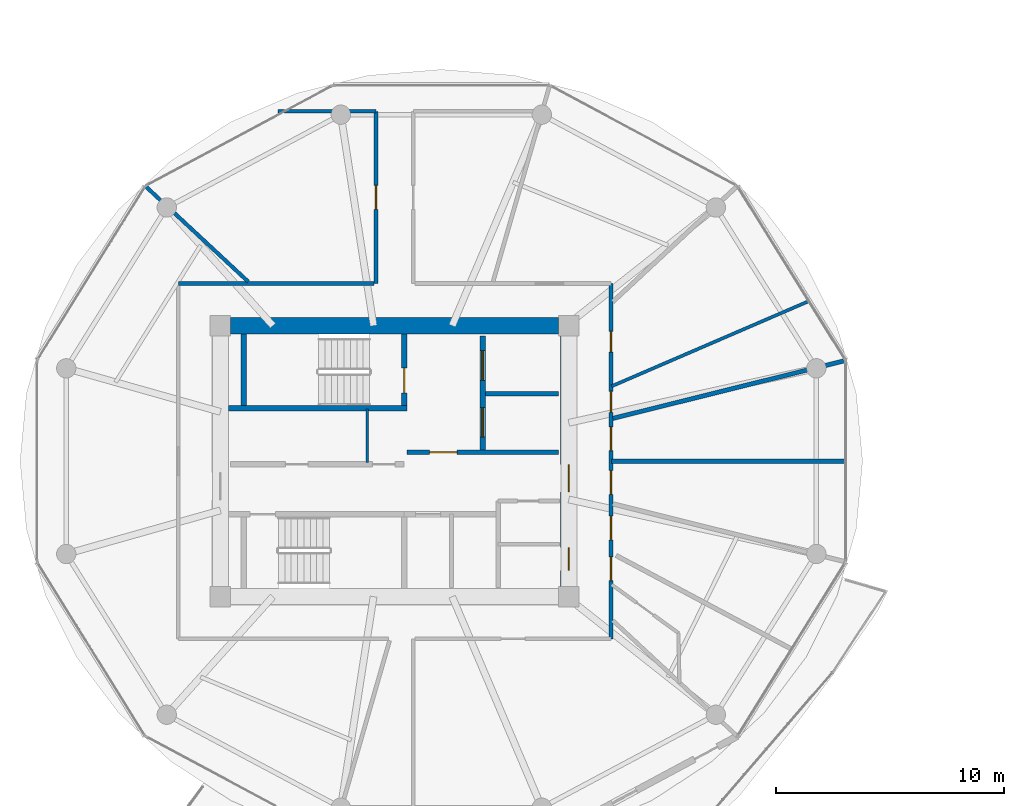
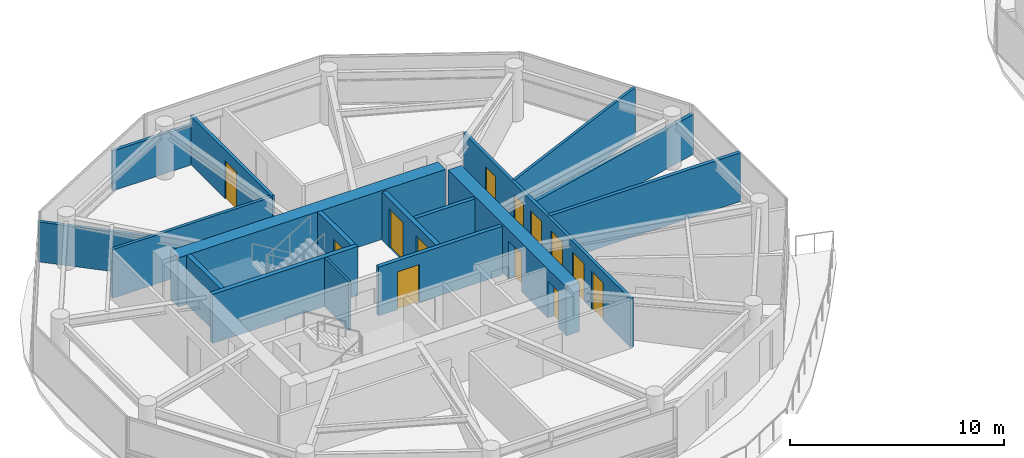
# One storey, part 14 of 24: 17 walls, 13 doors, 13 openings.
"""IFC4 building model written with IfcOpenShell, lengths in metres."""

from ifc_helpers import new_model, si_unit, direction, frame, frame_2d, origin, place, context, subcontext, project, spatial, rectangle, extrude, source, transform, mapped, material, layer, layer_set, type_object, type_shapes, element, fill, save


model = new_model("IFC4")

# Units and contexts
model_context = context("Model", 3, precision=1e-05, world=origin(), true_north=direction((0.0, 1.0)))
body_context = subcontext(model_context, "Body", "Model", "MODEL_VIEW")
ifc_project = project(units=[si_unit("LENGTHUNIT", "METRE"), si_unit("AREAUNIT", "SQUARE_METRE"), si_unit("VOLUMEUNIT", "CUBIC_METRE"), si_unit("PLANEANGLEUNIT", "RADIAN"), si_unit("MASSUNIT", "GRAM", prefix="KILO")], contexts=[model_context])

# Site, building, storey
site_placement = place(None, origin())
site = spatial("IfcSite", under=ifc_project, at=site_placement, CompositionType="ELEMENT")
building_placement = place(site_placement, origin())
building = spatial("IfcBuilding", under=site, at=building_placement, Name="Norrkilde Senior Care Towers", CompositionType="ELEMENT")
storey_placement = place(building_placement, frame((0.0, 0.0, 111.5)))
storey = spatial("IfcBuildingStorey", under=building, at=storey_placement, Name="L34", CompositionType="ELEMENT", Elevation=111.5)

# Wall
ifc_material_1 = material(Name="Concrete C60/75", Category="concrete")
ifc_layer_1 = layer(ifc_material_1, 0.719970703125)
ifc_layer_set_1 = layer_set([ifc_layer_1], Name="Concrete C60/75")
wall_type_1 = type_object("IfcWallType", Name="Core Shear Wall Z2 720", PredefinedType="SHEAR", material=ifc_layer_set_1)
shared_shape_1 = source(origin(), body_context, "Body", "SweptSolid", [
    extrude(rectangle(XDim=14.39990234375, YDim=0.719970703125, at=frame_2d((7.199951171875, 0.0))), origin(), (0.0, 0.0, 1.0), 2.7900390625),
])
wall_1_placement = place(storey_placement, frame((-35.199951171875, 5.949951171875, 0.0), z_axis=(0.0, 0.0, 1.0), x_axis=(1.0, 0.0, 0.0)))
element("IfcWall", 1, at=wall_1_placement, inside=storey, type_object=wall_type_1, Name="L34 Core W North Shear Wall", PredefinedType="SHEAR", context=body_context, shape_type="MappedRepresentation", body=[
    mapped(shared_shape_1, transform((0.0, 0.0, 0.0), x_axis=(1.0, 0.0, 0.0), y_axis=(0.0, 1.0, 0.0), z_axis=(0.0, 0.0, 1.0), scale=1.0)),
])

# Wall, openings, doors
shared_shape_2 = source(origin(), body_context, "Body", "SweptSolid", [
    extrude(rectangle(XDim=11.0, YDim=0.719970703125, at=frame_2d((5.5, 0.0))), origin(), (0.0, 0.0, 1.0), 2.7900390625),
])
type_shapes(wall_type_1, [shared_shape_1, shared_shape_2])
wall_2_placement = place(storey_placement, frame((-20.35009765625, 5.5, 0.0), z_axis=(0.0, 0.0, 1.0), x_axis=(0.0, -1.0, 0.0)))
wall_2 = element("IfcWall", 2, at=wall_2_placement, inside=storey, type_object=wall_type_1, Name="L34 Core W East Shear Wall", PredefinedType="SHEAR", context=body_context, shape_type="MappedRepresentation", body=[
    mapped(shared_shape_2, transform((0.0, 0.0, 0.0), x_axis=(1.0, 0.0, 0.0), y_axis=(0.0, 1.0, 0.0), z_axis=(0.0, 0.0, 1.0), scale=1.0)),
])
opening_1_placement = place(wall_2_placement, frame((5.64990234375, 0.0, 0.0)))
opening_1 = element("IfcOpeningElement", 3, at=opening_1_placement, cuts=wall_2, Name="Opening D-04", PredefinedType="OPENING", context=body_context, shape_type="SweptSolid", body=[
    extrude(rectangle(XDim=1.199951171875, YDim=2.14990234375, at=frame_2d((0.60009765625, 1.074951171875))), frame((0.0, 0.369873046875, 0.0), z_axis=(0.0, -1.0, 0.0), x_axis=(1.0, 0.0, 0.0)), (0.0, 0.0, 1.0), 0.739990234375),
])
opening_2_placement = place(wall_2_placement, frame((9.300048828125, 0.0, 0.0)))
opening_2 = element("IfcOpeningElement", 4, at=opening_2_placement, cuts=wall_2, Name="Opening D-10", PredefinedType="OPENING", context=body_context, shape_type="SweptSolid", body=[
    extrude(rectangle(XDim=1.0, YDim=2.10009765625, at=frame_2d((0.5, 1.050048828125))), frame((0.0, 0.369873046875, 0.0), z_axis=(0.0, -1.0, 0.0), x_axis=(1.0, 0.0, 0.0)), (0.0, 0.0, 1.0), 0.739990234375),
])
ifc_material_2 = material(Name="Galvanised Painted Steel", Category="steel")
door_type_1 = type_object("IfcDoorType", Name="Firefighting Lobby Fire Door 1200x2150", OperationType="NOTDEFINED", PredefinedType="DOOR", material=ifc_material_2)
shared_shape_3 = source(origin(), body_context, "Body", "SweptSolid", [
    extrude(rectangle(XDim=1.199951171875, YDim=2.14990234375, at=frame_2d((0.60009765625, 1.074951171875))), frame((0.0, 0.02490234375, 0.0), z_axis=(0.0, -1.0, 0.0), x_axis=(1.0, 0.0, 0.0)), (0.0, 0.0, 1.0), 0.050048828125),
])
type_shapes(door_type_1, [shared_shape_3])
door_1_placement = place(opening_1_placement, frame((1.199951171875, 0.0, 0.0), z_axis=(0.0, 0.0, 1.0), x_axis=(-1.0, 0.0, 0.0)))
door_1 = element("IfcDoor", 5, at=door_1_placement, inside=storey, type_object=door_type_1, Name="L34 Core W East Portal Door", OperationType="SINGLE_SWING_RIGHT", OverallHeight=2.14990234375, OverallWidth=1.199951171875, PredefinedType="DOOR", context=body_context, shape_type="MappedRepresentation", body=[
    mapped(shared_shape_3, transform((0.0, 0.0, 0.0), x_axis=(1.0, 0.0, 0.0), y_axis=(0.0, 1.0, 0.0), z_axis=(0.0, 0.0, 1.0), scale=1.0)),
])
fill(opening_1, door_1)
door_type_2 = type_object("IfcDoorType", Name="Plant and Riser Rated Door 1000x2100", OperationType="NOTDEFINED", PredefinedType="DOOR", material=ifc_material_2)
shared_shape_4 = source(origin(), body_context, "Body", "SweptSolid", [
    extrude(rectangle(XDim=1.0, YDim=2.10009765625, at=frame_2d((0.5, 1.050048828125))), frame((0.0, 0.02490234375, 0.0), z_axis=(0.0, -1.0, 0.0), x_axis=(1.0, 0.0, 0.0)), (0.0, 0.0, 1.0), 0.050048828125),
])
type_shapes(door_type_2, [shared_shape_4])
door_2_placement = place(opening_2_placement, frame((1.0, 0.0, 0.0), z_axis=(0.0, 0.0, 1.0), x_axis=(-1.0, 0.0, 0.0)))
door_2 = element("IfcDoor", 6, at=door_2_placement, inside=storey, type_object=door_type_2, Name="L34 Ventilation Riser W Door", OperationType="SINGLE_SWING_RIGHT", OverallHeight=2.10009765625, OverallWidth=1.0, PredefinedType="DOOR", context=body_context, shape_type="MappedRepresentation", body=[
    mapped(shared_shape_4, transform((0.0, 0.0, 0.0), x_axis=(1.0, 0.0, 0.0), y_axis=(0.0, 1.0, 0.0), z_axis=(0.0, 0.0, 1.0), scale=1.0)),
])
fill(opening_2, door_2)

ifc_material_3 = material(Name="Concrete C45/55", Category="concrete")
ifc_layer_2 = layer(ifc_material_3, 0.239990234375)
ifc_layer_set_2 = layer_set([ifc_layer_2], Name="Concrete C45/55")
wall_type_2 = type_object("IfcWallType", Name="Lift and Plant Rated Enclosure Partition 240", PredefinedType="PARTITIONING", material=ifc_layer_set_2)
shared_shape_5 = source(origin(), body_context, "Body", "SweptSolid", [
    extrude(rectangle(XDim=5.0, YDim=0.239990234375, at=frame_2d((2.5, 0.0))), origin(), (0.0, 0.0, 1.0), 2.77490234375),
])
type_shapes(wall_type_2, [shared_shape_5])
wall_3_placement = place(storey_placement, frame((-24.139892578125, 0.5, 0.0), z_axis=(0.0, 0.0, 1.0), x_axis=(0.0, 1.0, 0.0)))
wall_3 = element("IfcWall", 7, at=wall_3_placement, inside=storey, type_object=wall_type_2, Name="WL-INT-L34-W-FFLE", PredefinedType="PARTITIONING", context=body_context, shape_type="MappedRepresentation", body=[
    mapped(shared_shape_5, transform((0.0, 0.0, 0.0), x_axis=(1.0, 0.0, 0.0), y_axis=(0.0, 1.0, 0.0), z_axis=(0.0, 0.0, 1.0), scale=1.0)),
])
opening_3_placement = place(wall_3_placement, frame((3.050048828125, 0.0, 0.0)))
opening_3 = element("IfcOpeningElement", 8, at=opening_3_placement, cuts=wall_3, Name="Opening LD-02", PredefinedType="OPENING", context=body_context, shape_type="SweptSolid", body=[
    extrude(rectangle(XDim=1.300048828125, YDim=2.199951171875, at=frame_2d((0.64990234375, 1.10009765625))), frame((0.0, 0.1298828125, 0.0), z_axis=(0.0, -1.0, 0.0), x_axis=(1.0, 0.0, 0.0)), (0.0, 0.0, 1.0), 0.260009765625),
])
opening_4_placement = place(wall_3_placement, frame((0.550048828125, 0.0, 0.0)))
opening_4 = element("IfcOpeningElement", 9, at=opening_4_placement, cuts=wall_3, Name="Opening LD-02", PredefinedType="OPENING", context=body_context, shape_type="SweptSolid", body=[
    extrude(rectangle(XDim=1.300048828125, YDim=2.199951171875, at=frame_2d((0.64990234375, 1.10009765625))), frame((0.0, 0.1298828125, 0.0), z_axis=(0.0, -1.0, 0.0), x_axis=(1.0, 0.0, 0.0)), (0.0, 0.0, 1.0), 0.260009765625),
])
ifc_material_4 = material(Name="Stainless Steel", Category="steel")
door_type_3 = type_object("IfcDoorType", Name="Stretcher and FFL Landing Sliding Door 1300x2200", OperationType="NOTDEFINED", PredefinedType="DOOR", material=ifc_material_4)
shared_shape_6 = source(origin(), body_context, "Body", "SweptSolid", [
    extrude(rectangle(XDim=1.300048828125, YDim=2.199951171875, at=frame_2d((0.64990234375, 1.10009765625))), frame((0.0, 0.02490234375, 0.0), z_axis=(0.0, -1.0, 0.0), x_axis=(1.0, 0.0, 0.0)), (0.0, 0.0, 1.0), 0.050048828125),
])
type_shapes(door_type_3, [shared_shape_6])
door_3_placement = place(opening_3_placement, origin())
door_3 = element("IfcDoor", 10, at=door_3_placement, inside=storey, type_object=door_type_3, Name="L34 Firefighting Lift W1 Landing Door", OperationType="SLIDING_TO_LEFT", OverallHeight=2.199951171875, OverallWidth=1.300048828125, PredefinedType="DOOR", context=body_context, shape_type="MappedRepresentation", body=[
    mapped(shared_shape_6, transform((0.0, 0.0, 0.0), x_axis=(1.0, 0.0, 0.0), y_axis=(0.0, 1.0, 0.0), z_axis=(0.0, 0.0, 1.0), scale=1.0)),
])
fill(opening_3, door_3)
door_4_placement = place(opening_4_placement, origin())
door_4 = element("IfcDoor", 11, at=door_4_placement, inside=storey, type_object=door_type_3, Name="L34 Stretcher Lift W1 Landing Door", OperationType="SLIDING_TO_RIGHT", OverallHeight=2.199951171875, OverallWidth=1.300048828125, PredefinedType="DOOR", context=body_context, shape_type="MappedRepresentation", body=[
    mapped(shared_shape_6, transform((0.0, 0.0, 0.0), x_axis=(1.0, 0.0, 0.0), y_axis=(0.0, 1.0, 0.0), z_axis=(0.0, 0.0, 1.0), scale=1.0)),
])
fill(opening_4, door_4)

# Wall
ifc_layer_3 = layer(ifc_material_3, 0.199951171875)
ifc_layer_set_3 = layer_set([ifc_layer_3], Name="Concrete C45/55")
wall_type_3 = type_object("IfcWallType", Name="Shaft Division and Plant Partition 200", PredefinedType="PARTITIONING", material=ifc_layer_set_3)
shared_shape_7 = source(origin(), body_context, "Body", "SweptSolid", [
    extrude(rectangle(XDim=3.199951171875, YDim=0.199951171875, at=frame_2d((1.60009765625, 0.0))), origin(), (0.0, 0.0, 1.0), 2.77490234375),
])
type_shapes(wall_type_3, [shared_shape_7])
wall_4_placement = place(storey_placement, frame((-24.0, 2.949951171875, 0.0), z_axis=(0.0, 0.0, 1.0), x_axis=(1.0, 0.0, 0.0)))
element("IfcWall", 12, at=wall_4_placement, inside=storey, type_object=wall_type_3, Name="WL-INT-L34-W-FFLDIV", PredefinedType="PARTITIONING", context=body_context, shape_type="MappedRepresentation", body=[
    mapped(shared_shape_7, transform((0.0, 0.0, 0.0), x_axis=(1.0, 0.0, 0.0), y_axis=(0.0, 1.0, 0.0), z_axis=(0.0, 0.0, 1.0), scale=1.0)),
])

# Wall, opening, door
ifc_layer_4 = layer(ifc_material_3, 0.2099609375)
ifc_layer_set_4 = layer_set([ifc_layer_4], Name="Concrete C45/55")
wall_type_4 = type_object("IfcWallType", Name="Firefighting Lobby Wall 210", PredefinedType="PARTITIONING", material=ifc_layer_set_4)
shared_shape_8 = source(origin(), body_context, "Body", "SweptSolid", [
    extrude(rectangle(XDim=6.659912109375, YDim=0.2099609375, at=frame_2d((3.330078125, 0.0))), origin(), (0.0, 0.0, 1.0), 2.77490234375),
])
type_shapes(wall_type_4, [shared_shape_8])
wall_5_placement = place(storey_placement, frame((-27.4599609375, 0.389892578125, 0.0), z_axis=(0.0, 0.0, 1.0), x_axis=(1.0, 0.0, 0.0)))
wall_5 = element("IfcWall", 13, at=wall_5_placement, inside=storey, type_object=wall_type_4, Name="WL-INT-L34-W-FFLS", PredefinedType="PARTITIONING", context=body_context, shape_type="MappedRepresentation", body=[
    mapped(shared_shape_8, transform((0.0, 0.0, 0.0), x_axis=(1.0, 0.0, 0.0), y_axis=(0.0, 1.0, 0.0), z_axis=(0.0, 0.0, 1.0), scale=1.0)),
])
opening_5_placement = place(wall_5_placement, frame((1.0, 0.0, 0.0)))
opening_5 = element("IfcOpeningElement", 14, at=opening_5_placement, cuts=wall_5, Name="Opening D-04", PredefinedType="OPENING", context=body_context, shape_type="SweptSolid", body=[
    extrude(rectangle(XDim=1.199951171875, YDim=2.14990234375, at=frame_2d((0.60009765625, 1.074951171875))), frame((0.0, 0.114990234375, 0.0), z_axis=(0.0, -1.0, 0.0), x_axis=(1.0, 0.0, 0.0)), (0.0, 0.0, 1.0), 0.22998046875),
])
door_5_placement = place(opening_5_placement, frame((1.199951171875, 0.0, 0.0), z_axis=(0.0, 0.0, 1.0), x_axis=(-1.0, 0.0, 0.0)))
door_5 = element("IfcDoor", 15, at=door_5_placement, inside=storey, type_object=door_type_1, Name="L34 Firefighting Lobby W Door", OperationType="SINGLE_SWING_LEFT", OverallHeight=2.14990234375, OverallWidth=1.199951171875, PredefinedType="DOOR", context=body_context, shape_type="MappedRepresentation", body=[
    mapped(shared_shape_3, transform((0.0, 0.0, 0.0), x_axis=(1.0, 0.0, 0.0), y_axis=(0.0, 1.0, 0.0), z_axis=(0.0, 0.0, 1.0), scale=1.0)),
])
fill(opening_5, door_5)

# Wall
ifc_material_5 = material(Name="Gypsum Acoustic Board")
ifc_layer_5 = layer(ifc_material_5, 0.114990234375)
ifc_layer_set_5 = layer_set([ifc_layer_5], Name="Gypsum Acoustic Board")
wall_type_5 = type_object("IfcWallType", Name="Internal Room Partition 115", PredefinedType="PARTITIONING", material=ifc_layer_set_5)
shared_shape_9 = source(origin(), body_context, "Body", "SweptSolid", [
    extrude(rectangle(XDim=2.330078125, YDim=0.114990234375, at=frame_2d((1.1650390625, 0.0))), origin(), (0.0, 0.0, 1.0), 2.77490234375),
])
type_shapes(wall_type_5, [shared_shape_9])
wall_6_placement = place(storey_placement, frame((-29.2099609375, -0.050048828125, 0.0), z_axis=(0.0, 0.0, 1.0), x_axis=(0.0, 1.0, 0.0)))
element("IfcWall", 16, at=wall_6_placement, inside=storey, type_object=wall_type_5, Name="WL-INT-L34-W-RISW", PredefinedType="PARTITIONING", context=body_context, shape_type="MappedRepresentation", body=[
    mapped(shared_shape_9, transform((0.0, 0.0, 0.0), x_axis=(1.0, 0.0, 0.0), y_axis=(0.0, 1.0, 0.0), z_axis=(0.0, 0.0, 1.0), scale=1.0)),
])

# Wall, openings, doors
ifc_layer_6 = layer(ifc_material_5, 0.1650390625)
ifc_layer_set_6 = layer_set([ifc_layer_6], Name="Gypsum Acoustic Board")
wall_type_6 = type_object("IfcWallType", Name="Corridor Rated Partition 165", PredefinedType="PARTITIONING", material=ifc_layer_set_6)
shared_shape_10 = source(origin(), body_context, "Body", "SweptSolid", [
    extrude(rectangle(XDim=15.60009765625, YDim=0.1650390625, at=frame_2d((7.800048828125, 0.0))), origin(), (0.0, 0.0, 1.0), 2.77490234375),
])
wall_7_placement = place(storey_placement, frame((-18.5, 7.800048828125, 0.0), z_axis=(0.0, 0.0, 1.0), x_axis=(0.0, -1.0, 0.0)))
wall_7 = element("IfcWall", 17, at=wall_7_placement, inside=storey, type_object=wall_type_6, Name="WL-INT-L34-W-CRW-E-0", PredefinedType="PARTITIONING", context=body_context, shape_type="MappedRepresentation", body=[
    mapped(shared_shape_10, transform((0.0, 0.0, 0.0), x_axis=(1.0, 0.0, 0.0), y_axis=(0.0, 1.0, 0.0), z_axis=(0.0, 0.0, 1.0), scale=1.0)),
])
opening_6_placement = place(wall_7_placement, frame((12.001953125, 0.0, 0.0)))
opening_6 = element("IfcOpeningElement", 18, at=opening_6_placement, cuts=wall_7, Name="Opening D-06", PredefinedType="OPENING", context=body_context, shape_type="SweptSolid", body=[
    extrude(rectangle(XDim=1.050048828125, YDim=2.14990234375, at=frame_2d((0.52490234375, 1.074951171875))), frame((0.0, 0.092529296875, 0.0), z_axis=(0.0, -1.0, 0.0), x_axis=(1.0, 0.0, 0.0)), (0.0, 0.0, 1.0), 0.18505859375),
])
opening_7_placement = place(wall_7_placement, frame((10.210693359375, 0.0, 0.0)))
opening_7 = element("IfcOpeningElement", 19, at=opening_7_placement, cuts=wall_7, Name="Opening D-06", PredefinedType="OPENING", context=body_context, shape_type="SweptSolid", body=[
    extrude(rectangle(XDim=1.050048828125, YDim=2.14990234375, at=frame_2d((0.52490234375, 1.074951171875))), frame((0.0, 0.092529296875, 0.0), z_axis=(0.0, -1.0, 0.0), x_axis=(1.0, 0.0, 0.0)), (0.0, 0.0, 1.0), 0.18505859375),
])
opening_8_placement = place(wall_7_placement, frame((8.21240234375, 0.0, 0.0)))
opening_8 = element("IfcOpeningElement", 20, at=opening_8_placement, cuts=wall_7, Name="Opening D-06", PredefinedType="OPENING", context=body_context, shape_type="SweptSolid", body=[
    extrude(rectangle(XDim=1.050048828125, YDim=2.14990234375, at=frame_2d((0.52490234375, 1.074951171875))), frame((0.0, 0.092529296875, 0.0), z_axis=(0.0, -1.0, 0.0), x_axis=(1.0, 0.0, 0.0)), (0.0, 0.0, 1.0), 0.18505859375),
])
opening_9_placement = place(wall_7_placement, frame((6.290771484375, 0.0, 0.0)))
opening_9 = element("IfcOpeningElement", 21, at=opening_9_placement, cuts=wall_7, Name="Opening D-06", PredefinedType="OPENING", context=body_context, shape_type="SweptSolid", body=[
    extrude(rectangle(XDim=1.050048828125, YDim=2.14990234375, at=frame_2d((0.52490234375, 1.074951171875))), frame((0.0, 0.092529296875, 0.0), z_axis=(0.0, -1.0, 0.0), x_axis=(1.0, 0.0, 0.0)), (0.0, 0.0, 1.0), 0.18505859375),
])
opening_10_placement = place(wall_7_placement, frame((4.739013671875, 0.0, 0.0)))
opening_10 = element("IfcOpeningElement", 22, at=opening_10_placement, cuts=wall_7, Name="Opening D-08", PredefinedType="OPENING", context=body_context, shape_type="SweptSolid", body=[
    extrude(rectangle(XDim=0.919921875, YDim=2.10009765625, at=frame_2d((0.4599609375, 1.050048828125))), frame((0.0, 0.092529296875, 0.0), z_axis=(0.0, -1.0, 0.0), x_axis=(1.0, 0.0, 0.0)), (0.0, 0.0, 1.0), 0.18505859375),
])
opening_11_placement = place(wall_7_placement, frame((2.096435546875, 0.0, 0.0)))
opening_11 = element("IfcOpeningElement", 23, at=opening_11_placement, cuts=wall_7, Name="Opening D-08", PredefinedType="OPENING", context=body_context, shape_type="SweptSolid", body=[
    extrude(rectangle(XDim=0.919921875, YDim=2.10009765625, at=frame_2d((0.4599609375, 1.050048828125))), frame((0.0, 0.092529296875, 0.0), z_axis=(0.0, -1.0, 0.0), x_axis=(1.0, 0.0, 0.0)), (0.0, 0.0, 1.0), 0.18505859375),
])
ifc_material_6 = material(Name="Nordic Ash Timber", Category="wood")
door_type_4 = type_object("IfcDoorType", Name="Accessible Wet Room Door 920x2100", OperationType="NOTDEFINED", PredefinedType="DOOR", material=ifc_material_6)
shared_shape_11 = source(origin(), body_context, "Body", "SweptSolid", [
    extrude(rectangle(XDim=0.919921875, YDim=2.10009765625, at=frame_2d((0.4599609375, 1.050048828125))), frame((0.0, 0.02490234375, 0.0), z_axis=(0.0, -1.0, 0.0), x_axis=(1.0, 0.0, 0.0)), (0.0, 0.0, 1.0), 0.050048828125),
])
type_shapes(door_type_4, [shared_shape_11])
door_6_placement = place(opening_10_placement, frame((0.919921875, 0.0, 0.0), z_axis=(0.0, 0.0, 1.0), x_axis=(-1.0, 0.0, 0.0)))
door_6 = element("IfcDoor", 24, at=door_6_placement, inside=storey, type_object=door_type_4, Name="L34 Accessible Restroom Door", OperationType="SINGLE_SWING_LEFT", OverallHeight=2.10009765625, OverallWidth=0.919921875, PredefinedType="DOOR", context=body_context, shape_type="MappedRepresentation", body=[
    mapped(shared_shape_11, transform((0.0, 0.0, 0.0), x_axis=(1.0, 0.0, 0.0), y_axis=(0.0, 1.0, 0.0), z_axis=(0.0, 0.0, 1.0), scale=1.0)),
])
fill(opening_10, door_6)
door_7_placement = place(opening_11_placement, frame((0.919921875, 0.0, 0.0), z_axis=(0.0, 0.0, 1.0), x_axis=(-1.0, 0.0, 0.0)))
door_7 = element("IfcDoor", 25, at=door_7_placement, inside=storey, type_object=door_type_4, Name="L34 Public Restroom Door", OperationType="SINGLE_SWING_RIGHT", OverallHeight=2.10009765625, OverallWidth=0.919921875, PredefinedType="DOOR", context=body_context, shape_type="MappedRepresentation", body=[
    mapped(shared_shape_11, transform((0.0, 0.0, 0.0), x_axis=(1.0, 0.0, 0.0), y_axis=(0.0, 1.0, 0.0), z_axis=(0.0, 0.0, 1.0), scale=1.0)),
])
fill(opening_11, door_7)
door_type_5 = type_object("IfcDoorType", Name="Apartment Entrance Fire Door 1050x2150", OperationType="NOTDEFINED", PredefinedType="DOOR", material=ifc_material_6)
shared_shape_12 = source(origin(), body_context, "Body", "SweptSolid", [
    extrude(rectangle(XDim=1.050048828125, YDim=2.14990234375, at=frame_2d((0.52490234375, 1.074951171875))), frame((0.0, 0.02490234375, 0.0), z_axis=(0.0, -1.0, 0.0), x_axis=(1.0, 0.0, 0.0)), (0.0, 0.0, 1.0), 0.050048828125),
])
type_shapes(door_type_5, [shared_shape_12])
door_8_placement = place(opening_6_placement, frame((1.050048828125, 0.0, 0.0), z_axis=(0.0, 0.0, 1.0), x_axis=(-1.0, 0.0, 0.0)))
door_8 = element("IfcDoor", 26, at=door_8_placement, inside=storey, type_object=door_type_5, Name="L34 Care Suite 3410A Entrance Door", OperationType="SINGLE_SWING_RIGHT", OverallHeight=2.14990234375, OverallWidth=1.050048828125, PredefinedType="DOOR", context=body_context, shape_type="MappedRepresentation", body=[
    mapped(shared_shape_12, transform((0.0, 0.0, 0.0), x_axis=(1.0, 0.0, 0.0), y_axis=(0.0, 1.0, 0.0), z_axis=(0.0, 0.0, 1.0), scale=1.0)),
])
fill(opening_6, door_8)
door_9_placement = place(opening_7_placement, frame((1.050048828125, 0.0, 0.0), z_axis=(0.0, 0.0, 1.0), x_axis=(-1.0, 0.0, 0.0)))
door_9 = element("IfcDoor", 27, at=door_9_placement, inside=storey, type_object=door_type_5, Name="L34 Therapy Day Lounge 10 Door", OperationType="SINGLE_SWING_RIGHT", OverallHeight=2.14990234375, OverallWidth=1.050048828125, PredefinedType="DOOR", context=body_context, shape_type="MappedRepresentation", body=[
    mapped(shared_shape_12, transform((0.0, 0.0, 0.0), x_axis=(1.0, 0.0, 0.0), y_axis=(0.0, 1.0, 0.0), z_axis=(0.0, 0.0, 1.0), scale=1.0)),
])
fill(opening_7, door_9)
door_10_placement = place(opening_8_placement, frame((1.050048828125, 0.0, 0.0), z_axis=(0.0, 0.0, 1.0), x_axis=(-1.0, 0.0, 0.0)))
door_10 = element("IfcDoor", 28, at=door_10_placement, inside=storey, type_object=door_type_5, Name="L34 Physiotherapy Clinic 11A Door", OperationType="SINGLE_SWING_RIGHT", OverallHeight=2.14990234375, OverallWidth=1.050048828125, PredefinedType="DOOR", context=body_context, shape_type="MappedRepresentation", body=[
    mapped(shared_shape_12, transform((0.0, 0.0, 0.0), x_axis=(1.0, 0.0, 0.0), y_axis=(0.0, 1.0, 0.0), z_axis=(0.0, 0.0, 1.0), scale=1.0)),
])
fill(opening_8, door_10)
door_11_placement = place(opening_9_placement, frame((1.050048828125, 0.0, 0.0), z_axis=(0.0, 0.0, 1.0), x_axis=(-1.0, 0.0, 0.0)))
door_11 = element("IfcDoor", 29, at=door_11_placement, inside=storey, type_object=door_type_5, Name="L34 Assessment Clinic 11B Door", OperationType="SINGLE_SWING_LEFT", OverallHeight=2.14990234375, OverallWidth=1.050048828125, PredefinedType="DOOR", context=body_context, shape_type="MappedRepresentation", body=[
    mapped(shared_shape_12, transform((0.0, 0.0, 0.0), x_axis=(1.0, 0.0, 0.0), y_axis=(0.0, 1.0, 0.0), z_axis=(0.0, 0.0, 1.0), scale=1.0)),
])
fill(opening_9, door_11)

# Walls
ifc_layer_7 = layer(ifc_material_3, 0.239990234375)
ifc_layer_set_7 = layer_set([ifc_layer_7], Name="Concrete C45/55")
wall_type_7 = type_object("IfcWallType", Name="Shaft and Stair Enclosure Wall 240", PredefinedType="PARTITIONING", material=ifc_layer_set_7)
shared_shape_13 = source(origin(), body_context, "Body", "SweptSolid", [
    extrude(rectangle(XDim=7.830078125, YDim=0.239990234375, at=frame_2d((3.9150390625, 0.0))), origin(), (0.0, 0.0, 1.0), 2.7900390625),
])
wall_8_placement = place(storey_placement, frame((-35.2900390625, 2.330078125, 0.0), z_axis=(0.0, 0.0, 1.0), x_axis=(1.0, 0.0, 0.0)))
element("IfcWall", 30, at=wall_8_placement, inside=storey, type_object=wall_type_7, Name="WL-INT-L34-W-ST1S", PredefinedType="PARTITIONING", context=body_context, shape_type="MappedRepresentation", body=[
    mapped(shared_shape_13, transform((0.0, 0.0, 0.0), x_axis=(1.0, 0.0, 0.0), y_axis=(0.0, 1.0, 0.0), z_axis=(0.0, 0.0, 1.0), scale=1.0)),
])
shared_shape_14 = source(origin(), body_context, "Body", "SweptSolid", [
    extrude(rectangle(XDim=3.14013671875, YDim=0.239990234375, at=frame_2d((1.570068359375, 0.0))), origin(), (0.0, 0.0, 1.0), 2.7900390625),
])
type_shapes(wall_type_7, [shared_shape_13, shared_shape_14])
wall_9_placement = place(storey_placement, frame((-34.6201171875, 2.449951171875, 0.0), z_axis=(0.0, 0.0, 1.0), x_axis=(0.0, 1.0, 0.0)))
element("IfcWall", 31, at=wall_9_placement, inside=storey, type_object=wall_type_7, Name="WL-INT-L34-W-ST1W", PredefinedType="PARTITIONING", context=body_context, shape_type="MappedRepresentation", body=[
    mapped(shared_shape_14, transform((0.0, 0.0, 0.0), x_axis=(1.0, 0.0, 0.0), y_axis=(0.0, 1.0, 0.0), z_axis=(0.0, 0.0, 1.0), scale=1.0)),
])

# Wall, opening, door
wall_10_placement = place(storey_placement, frame((-27.580078125, 2.449951171875, 0.0), z_axis=(0.0, 0.0, 1.0), x_axis=(0.0, 1.0, 0.0)))
wall_10 = element("IfcWall", 32, at=wall_10_placement, inside=storey, type_object=wall_type_7, Name="WL-INT-L34-W-ST1E", PredefinedType="PARTITIONING", context=body_context, shape_type="MappedRepresentation", body=[
    mapped(shared_shape_14, transform((0.0, 0.0, 0.0), x_axis=(1.0, 0.0, 0.0), y_axis=(0.0, 1.0, 0.0), z_axis=(0.0, 0.0, 1.0), scale=1.0)),
])
opening_12_placement = place(wall_10_placement, frame((0.550048828125, 0.0, 0.0)))
opening_12 = element("IfcOpeningElement", 33, at=opening_12_placement, cuts=wall_10, Name="Opening D-03", PredefinedType="OPENING", context=body_context, shape_type="SweptSolid", body=[
    extrude(rectangle(XDim=1.10009765625, YDim=2.14990234375, at=frame_2d((0.550048828125, 1.074951171875))), frame((0.0, 0.1298828125, 0.0), z_axis=(0.0, -1.0, 0.0), x_axis=(1.0, 0.0, 0.0)), (0.0, 0.0, 1.0), 0.260009765625),
])
door_type_6 = type_object("IfcDoorType", Name="Stairwell Protected Fire Door 1100x2150", OperationType="NOTDEFINED", PredefinedType="DOOR", material=ifc_material_2)
shared_shape_15 = source(origin(), body_context, "Body", "SweptSolid", [
    extrude(rectangle(XDim=1.10009765625, YDim=2.14990234375, at=frame_2d((0.550048828125, 1.074951171875))), frame((0.0, 0.02490234375, 0.0), z_axis=(0.0, -1.0, 0.0), x_axis=(1.0, 0.0, 0.0)), (0.0, 0.0, 1.0), 0.050048828125),
])
type_shapes(door_type_6, [shared_shape_15])
door_12_placement = place(opening_12_placement, origin())
door_12 = element("IfcDoor", 34, at=door_12_placement, inside=storey, type_object=door_type_6, Name="L34 Stair W1 Fire Door", OperationType="SINGLE_SWING_LEFT", OverallHeight=2.14990234375, OverallWidth=1.10009765625, PredefinedType="DOOR", context=body_context, shape_type="MappedRepresentation", body=[
    mapped(shared_shape_15, transform((0.0, 0.0, 0.0), x_axis=(1.0, 0.0, 0.0), y_axis=(0.0, 1.0, 0.0), z_axis=(0.0, 0.0, 1.0), scale=1.0)),
])
fill(opening_12, door_12)

# Walls
shared_shape_16 = source(origin(), body_context, "Body", "SweptSolid", [
    extrude(rectangle(XDim=8.60009765625, YDim=0.1650390625, at=frame_2d((4.300048828125, 0.0))), origin(), (0.0, 0.0, 1.0), 2.77490234375),
])
wall_11_placement = place(storey_placement, frame((-37.5, 7.800048828125, 0.0), z_axis=(0.0, 0.0, 1.0), x_axis=(1.0, 0.0, 0.0)))
element("IfcWall", 35, at=wall_11_placement, inside=storey, type_object=wall_type_6, Name="WL-INT-L34-W-CRW-N-0", PredefinedType="PARTITIONING", context=body_context, shape_type="MappedRepresentation", body=[
    mapped(shared_shape_16, transform((0.0, 0.0, 0.0), x_axis=(1.0, 0.0, 0.0), y_axis=(0.0, 1.0, 0.0), z_axis=(0.0, 0.0, 1.0), scale=1.0)),
])
shared_shape_17 = source(origin(), body_context, "Body", "SweptSolid", [
    extrude(rectangle(XDim=6.186767578125, YDim=0.1650390625, at=frame_2d((3.09326171875, 0.0))), origin(), (0.0, 0.0, 1.0), 2.27490234375),
])
wall_12_placement = place(storey_placement, frame((-34.428955078125, 7.8798828125, 0.0), z_axis=(0.0, 0.0, 1.0), x_axis=(-0.732501077882, 0.680765870841, 0.0)))
element("IfcWall", 36, at=wall_12_placement, inside=storey, type_object=wall_type_6, Name="WL-INT-L34-W-DEM-04-0", PredefinedType="PARTITIONING", context=body_context, shape_type="MappedRepresentation", body=[
    mapped(shared_shape_17, transform((0.0, 0.0, 0.0), x_axis=(1.0, 0.0, 0.0), y_axis=(0.0, 1.0, 0.0), z_axis=(0.0, 0.0, 1.0), scale=1.0)),
])

# Wall, opening, door
shared_shape_18 = source(origin(), body_context, "Body", "SweptSolid", [
    extrude(rectangle(XDim=7.56005859375, YDim=0.1650390625, at=frame_2d((3.780029296875, 0.0))), origin(), (0.0, 0.0, 1.0), 2.77490234375),
])
wall_13_placement = place(storey_placement, frame((-28.820068359375, 7.800048828125, 0.0), z_axis=(0.0, 0.0, 1.0), x_axis=(0.0, 1.0, 0.0)))
wall_13 = element("IfcWall", 37, at=wall_13_placement, inside=storey, type_object=wall_type_6, Name="WL-INT-L34-W-PKW-NWL", PredefinedType="PARTITIONING", context=body_context, shape_type="MappedRepresentation", body=[
    mapped(shared_shape_18, transform((0.0, 0.0, 0.0), x_axis=(1.0, 0.0, 0.0), y_axis=(0.0, 1.0, 0.0), z_axis=(0.0, 0.0, 1.0), scale=1.0)),
])
opening_13_placement = place(wall_13_placement, frame((3.2548828125, 0.0, 0.0)))
opening_13 = element("IfcOpeningElement", 38, at=opening_13_placement, cuts=wall_13, Name="Opening D-06", PredefinedType="OPENING", context=body_context, shape_type="SweptSolid", body=[
    extrude(rectangle(XDim=1.050048828125, YDim=2.14990234375, at=frame_2d((0.52490234375, 1.074951171875))), frame((0.0, 0.092529296875, 0.0), z_axis=(0.0, -1.0, 0.0), x_axis=(1.0, 0.0, 0.0)), (0.0, 0.0, 1.0), 0.18505859375),
])
door_13_placement = place(opening_13_placement, frame((1.050048828125, 0.0, 0.0), z_axis=(0.0, 0.0, 1.0), x_axis=(-1.0, 0.0, 0.0)))
door_13 = element("IfcDoor", 39, at=door_13_placement, inside=storey, type_object=door_type_5, Name="L34 Reading Lounge NWL Door", OperationType="SINGLE_SWING_RIGHT", OverallHeight=2.14990234375, OverallWidth=1.050048828125, PredefinedType="DOOR", context=body_context, shape_type="MappedRepresentation", body=[
    mapped(shared_shape_12, transform((0.0, 0.0, 0.0), x_axis=(1.0, 0.0, 0.0), y_axis=(0.0, 1.0, 0.0), z_axis=(0.0, 0.0, 1.0), scale=1.0)),
])
fill(opening_13, door_13)

# Walls
shared_shape_19 = source(origin(), body_context, "Body", "SweptSolid", [
    extrude(rectangle(XDim=4.306884765625, YDim=0.1650390625, at=frame_2d((2.1533203125, 0.0))), origin(), (0.0, 0.0, 1.0), 2.27490234375),
])
type_shapes(wall_type_6, [shared_shape_10, shared_shape_16, shared_shape_17, shared_shape_18, shared_shape_19])
wall_14_placement = place(storey_placement, frame((-33.126953125, 15.360107421875, 0.0), z_axis=(0.0, 0.0, 1.0), x_axis=(1.0, 0.0, 0.0)))
element("IfcWall", 40, at=wall_14_placement, inside=storey, type_object=wall_type_6, Name="WL-INT-L34-W-PKH-NWL-0", PredefinedType="PARTITIONING", context=body_context, shape_type="MappedRepresentation", body=[
    mapped(shared_shape_19, transform((0.0, 0.0, 0.0), x_axis=(1.0, 0.0, 0.0), y_axis=(0.0, 1.0, 0.0), z_axis=(0.0, 0.0, 1.0), scale=1.0)),
])
ifc_layer_8 = layer(ifc_material_5, 0.18994140625)
ifc_layer_set_8 = layer_set([ifc_layer_8], Name="Gypsum Acoustic Board")
wall_type_8 = type_object("IfcWallType", Name="Unit Demising Acoustic Wall 190", PredefinedType="PARTITIONING", material=ifc_layer_set_8)
shared_shape_20 = source(origin(), body_context, "Body", "SweptSolid", [
    extrude(rectangle(XDim=10.5556640625, YDim=0.18994140625, at=frame_2d((5.27783203125, 0.0))), origin(), (0.0, 0.0, 1.0), 2.27490234375),
])
wall_15_placement = place(storey_placement, frame((-18.419921875, 1.875, 0.0), z_axis=(0.0, 0.0, 1.0), x_axis=(0.970363857851, 0.241648470667, 0.0)))
element("IfcWall", 41, at=wall_15_placement, inside=storey, type_object=wall_type_8, Name="WL-INT-L34-W-DEM-00-0", PredefinedType="PARTITIONING", context=body_context, shape_type="MappedRepresentation", body=[
    mapped(shared_shape_20, transform((0.0, 0.0, 0.0), x_axis=(1.0, 0.0, 0.0), y_axis=(0.0, 1.0, 0.0), z_axis=(0.0, 0.0, 1.0), scale=1.0)),
])
ifc_layer_9 = layer(ifc_material_5, 0.139892578125)
ifc_layer_set_9 = layer_set([ifc_layer_9], Name="Gypsum Acoustic Board")
wall_type_9 = type_object("IfcWallType", Name="En-suite Wet Room Wall 140", PredefinedType="PARTITIONING", material=ifc_layer_set_9)
shared_shape_21 = source(origin(), body_context, "Body", "SweptSolid", [
    extrude(rectangle(XDim=9.447021484375, YDim=0.139892578125, at=frame_2d((4.7236328125, 0.0))), origin(), (0.0, 0.0, 1.0), 2.77490234375),
])
type_shapes(wall_type_9, [shared_shape_21])
wall_16_placement = place(storey_placement, frame((-18.469970703125, 3.289306640625, 0.0), z_axis=(0.0, 0.0, 1.0), x_axis=(0.918162367414, 0.396204324894, 0.0)))
element("IfcWall", 42, at=wall_16_placement, inside=storey, type_object=wall_type_9, Name="WL-INT-L34-W-MID-00", PredefinedType="PARTITIONING", context=body_context, shape_type="MappedRepresentation", body=[
    mapped(shared_shape_21, transform((0.0, 0.0, 0.0), x_axis=(1.0, 0.0, 0.0), y_axis=(0.0, 1.0, 0.0), z_axis=(0.0, 0.0, 1.0), scale=1.0)),
])
shared_shape_22 = source(origin(), body_context, "Body", "SweptSolid", [
    extrude(rectangle(XDim=10.29296875, YDim=0.18994140625, at=frame_2d((5.146484375, 0.0))), origin(), (0.0, 0.0, 1.0), 2.77490234375),
])
type_shapes(wall_type_8, [shared_shape_20, shared_shape_22])
wall_17_placement = place(storey_placement, frame((-18.469970703125, 0.0, 0.0), z_axis=(0.0, 0.0, 1.0), x_axis=(1.0, 0.0, 0.0)))
element("IfcWall", 43, at=wall_17_placement, inside=storey, type_object=wall_type_8, Name="WL-INT-L34-W-MID-11", PredefinedType="PARTITIONING", context=body_context, shape_type="MappedRepresentation", body=[
    mapped(shared_shape_22, transform((0.0, 0.0, 0.0), x_axis=(1.0, 0.0, 0.0), y_axis=(0.0, 1.0, 0.0), z_axis=(0.0, 0.0, 1.0), scale=1.0)),
])

save(model, "model.ifc")
